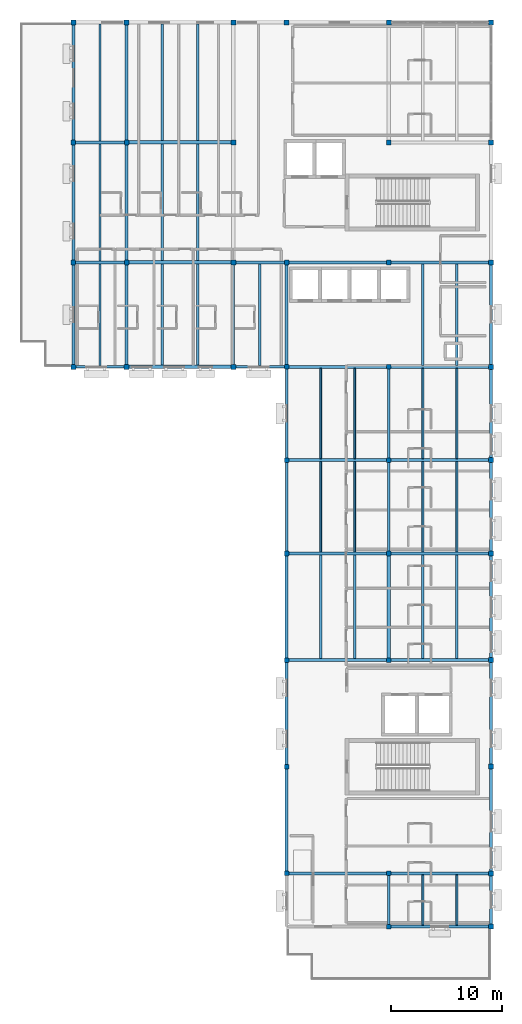
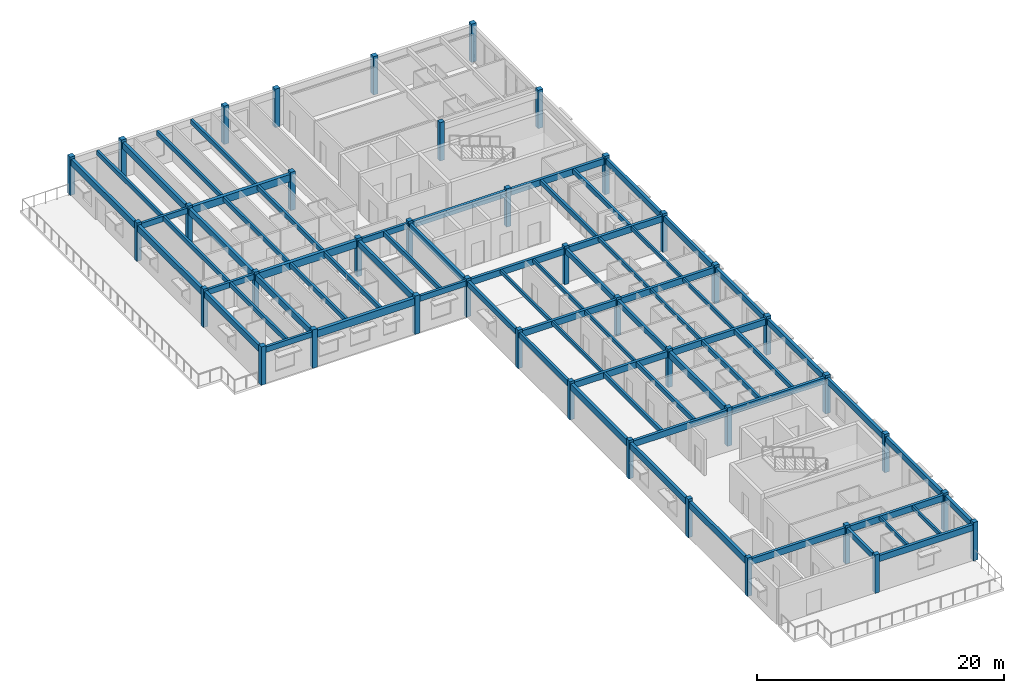
# One storey, part 1 of 15: 71 beams, 39 columns.
"""IFC4 building model written with IfcOpenShell, lengths in metres."""

from ifc_helpers import new_model, si_unit, direction, frame, origin, origin_2d, place, context, subcontext, project, spatial, rectangle, extrude, material, material_profile, profile_set, type_object, element, save


model = new_model("IFC4")

# Units and contexts
model_context = context("Model", 3, precision=1e-05, world=origin(), true_north=direction((0.0, 1.0)))
body_context = subcontext(model_context, "Body", "Model", "MODEL_VIEW")
ifc_project = project(units=[si_unit("LENGTHUNIT", "METRE"), si_unit("AREAUNIT", "SQUARE_METRE"), si_unit("VOLUMEUNIT", "CUBIC_METRE"), si_unit("PLANEANGLEUNIT", "RADIAN"), si_unit("MASSUNIT", "GRAM", prefix="KILO")], contexts=[model_context])

# Site, building, storey
site_placement = place(None, origin())
site = spatial("IfcSite", under=ifc_project, at=site_placement, CompositionType="ELEMENT")
building_placement = place(site_placement, origin())
building = spatial("IfcBuilding", under=site, at=building_placement, Name="Veldera Park Congress Hotel", CompositionType="ELEMENT")
storey_placement = place(building_placement, frame((0.0, 0.0, 39.0)))
storey = spatial("IfcBuildingStorey", under=building, at=storey_placement, Name="L09", CompositionType="ELEMENT", Elevation=39.0)

# Columns
ifc_material = material(Name="Glulam GL28h (NDS 24F-V4)", Category="wood")
ifc_material_profile_1 = material_profile(ifc_material, rectangle(XDim=0.419921875, YDim=0.419921875, at=origin_2d()), Name="GL28h 420x420")
ifc_profile_set_1 = profile_set([ifc_material_profile_1], Name="Glulam GL28h (NDS 24F-V4)")
column_type_1 = type_object("IfcColumnType", Name="COL-GL42", PredefinedType="COLUMN", material=ifc_profile_set_1)
for number, where, z_axis, x_axis, name in (
    (1, (74.800048828125, -23.39990234375, 0.0), (0.0, 0.0, 1.0), (1.0, 0.0, 0.0), "L09 Column COL-GL42 (74.8,-23.4)"),
    (2, (74.800048828125, -18.60009765625, 0.0), (0.0, 0.0, 1.0), (1.0, 0.0, 0.0), "L09 Column COL-GL42 (74.8,-18.6)"),
    (3, (74.800048828125, 0.60009765625, 0.0), (0.0, 0.0, 1.0), (1.0, 0.0, 0.0), "L09 Column COL-GL42 (74.8,0.6)"),
    (4, (74.800048828125, 10.199951171875, 0.0), (0.0, 0.0, 1.0), (1.0, 0.0, 0.0), "L09 Column COL-GL42 (74.8,10.2)"),
    (5, (74.800048828125, 18.60009765625, 0.0), (0.0, 0.0, 1.0), (1.0, 0.0, 0.0), "L09 Column COL-GL42 (74.8,18.6)"),
    (6, (74.800048828125, 27.0, 0.0), (0.0, 0.0, 1.0), (1.0, 0.0, 0.0), "L09 Column COL-GL42 (74.8,27.0)"),
    (7, (74.800048828125, 36.39990234375, 0.0), (0.0, 0.0, 1.0), (1.0, 0.0, 0.0), "L09 Column COL-GL42 (74.8,36.4)"),
    (8, (74.800048828125, 47.199951171875, 0.0), (0.0, 0.0, 1.0), (1.0, 0.0, 0.0), "L09 Column COL-GL42 (74.8,47.2)"),
    (9, (65.60009765625, -18.60009765625, 0.0), (0.0, 0.0, 1.0), (1.0, 0.0, 0.0), "L09 Column COL-GL42 (65.6,-18.6)"),
    (10, (65.60009765625, -9.0, 0.0), (0.0, 0.0, 1.0), (1.0, 0.0, 0.0), "L09 Column COL-GL42 (65.6,-9.0)"),
    (11, (65.60009765625, 0.60009765625, 0.0), (0.0, 0.0, 1.0), (1.0, 0.0, 0.0), "L09 Column COL-GL42 (65.6,0.6)"),
    (12, (65.60009765625, 10.199951171875, 0.0), (0.0, 0.0, 1.0), (1.0, 0.0, 0.0), "L09 Column COL-GL42 (65.6,10.2)"),
    (13, (65.60009765625, 18.60009765625, 0.0), (0.0, 0.0, 1.0), (1.0, 0.0, 0.0), "L09 Column COL-GL42 (65.6,18.6)"),
    (14, (65.60009765625, 27.0, 0.0), (0.0, 0.0, 1.0), (1.0, 0.0, 0.0), "L09 Column COL-GL42 (65.6,27.0)"),
    (15, (65.60009765625, 36.39990234375, 0.0), (0.0, 0.0, 1.0), (1.0, 0.0, 0.0), "L09 Column COL-GL42 (65.6,36.4)"),
    (16, (46.39990234375, 36.39990234375, 0.0), (0.0, 0.0, 1.0), (1.0, 0.0, 0.0), "L09 Column COL-GL42 (46.4,36.4)"),
    (17, (46.39990234375, 47.199951171875, 0.0), (0.0, 0.0, 1.0), (1.0, 0.0, 0.0), "L09 Column COL-GL42 (46.4,47.2)"),
    (18, (51.199951171875, 36.39990234375, 0.0), (0.0, 0.0, 1.0), (1.0, 0.0, 0.0), "L09 Column COL-GL42 (51.2,36.4)"),
    (19, (51.199951171875, 47.199951171875, 0.0), (0.0, 0.0, 1.0), (1.0, 0.0, 0.0), "L09 Column COL-GL42 (51.2,47.2)"),
):
    element("IfcColumn", number, at=place(storey_placement, frame(where, z_axis=z_axis, x_axis=x_axis)), inside=storey, type_object=column_type_1, Name=name, PredefinedType="COLUMN", context=body_context, shape_type="SweptSolid", body=[
        extrude(rectangle(XDim=0.419921875, YDim=0.419921875, at=origin_2d()), origin(), (0.0, 0.0, 1.0), 3.800048828125),
    ])
ifc_material_profile_2 = material_profile(ifc_material, rectangle(XDim=0.449951171875, YDim=0.449951171875, at=origin_2d()), Name="GL28h 450x450")
ifc_profile_set_2 = profile_set([ifc_material_profile_2], Name="Glulam GL28h (NDS 24F-V4)")
column_type_2 = type_object("IfcColumnType", Name="COL-GL42E", PredefinedType="COLUMN", material=ifc_profile_set_2)
for number, where, z_axis, x_axis, name in (
    (20, (60.800048828125, 27.0, 0.0), (0.0, 0.0, 1.0), (1.0, 0.0, 0.0), "L09 Column COL-GL42E (60.8,27.0)"),
    (21, (60.800048828125, 36.39990234375, 0.0), (0.0, 0.0, 1.0), (1.0, 0.0, 0.0), "L09 Column COL-GL42E (60.8,36.4)"),
    (22, (60.800048828125, 47.199951171875, 0.0), (0.0, 0.0, 1.0), (1.0, 0.0, 0.0), "L09 Column COL-GL42E (60.8,47.2)"),
    (23, (60.800048828125, 58.0, 0.0), (0.0, 0.0, 1.0), (1.0, 0.0, 0.0), "L09 Column COL-GL42E (60.8,58.0)"),
    (24, (74.800048828125, 58.0, 0.0), (0.0, 0.0, 1.0), (1.0, 0.0, 0.0), "L09 Column COL-GL42E (74.8,58.0)"),
    (25, (84.0, -23.39990234375, 0.0), (0.0, 0.0, 1.0), (1.0, 0.0, 0.0), "L09 Column COL-GL42E (84.0,-23.4)"),
    (26, (84.0, -18.60009765625, 0.0), (0.0, 0.0, 1.0), (1.0, 0.0, 0.0), "L09 Column COL-GL42E (84.0,-18.6)"),
    (27, (84.0, -9.0, 0.0), (0.0, 0.0, 1.0), (1.0, 0.0, 0.0), "L09 Column COL-GL42E (84.0,-9.0)"),
    (28, (84.0, 0.60009765625, 0.0), (0.0, 0.0, 1.0), (1.0, 0.0, 0.0), "L09 Column COL-GL42E (84.0,0.6)"),
    (29, (84.0, 10.199951171875, 0.0), (0.0, 0.0, 1.0), (1.0, 0.0, 0.0), "L09 Column COL-GL42E (84.0,10.2)"),
    (30, (84.0, 18.60009765625, 0.0), (0.0, 0.0, 1.0), (1.0, 0.0, 0.0), "L09 Column COL-GL42E (84.0,18.6)"),
    (31, (84.0, 27.0, 0.0), (0.0, 0.0, 1.0), (1.0, 0.0, 0.0), "L09 Column COL-GL42E (84.0,27.0)"),
    (32, (84.0, 36.39990234375, 0.0), (0.0, 0.0, 1.0), (1.0, 0.0, 0.0), "L09 Column COL-GL42E (84.0,36.4)"),
    (33, (84.0, 47.199951171875, 0.0), (0.0, 0.0, 1.0), (1.0, 0.0, 0.0), "L09 Column COL-GL42E (84.0,47.2)"),
    (34, (84.0, 58.0, 0.0), (0.0, 0.0, 1.0), (1.0, 0.0, 0.0), "L09 Column COL-GL42E (84.0,58.0)"),
    (35, (65.60009765625, 58.0, 0.0), (0.0, 0.0, 1.0), (1.0, 0.0, 0.0), "L09 Column COL-GL42E (65.6,58.0)"),
    (36, (46.39990234375, 27.0, 0.0), (0.0, 0.0, 1.0), (1.0, 0.0, 0.0), "L09 Column COL-GL42E (46.4,27.0)"),
    (37, (46.39990234375, 58.0, 0.0), (0.0, 0.0, 1.0), (1.0, 0.0, 0.0), "L09 Column COL-GL42E (46.4,58.0)"),
    (38, (51.199951171875, 27.0, 0.0), (0.0, 0.0, 1.0), (1.0, 0.0, 0.0), "L09 Column COL-GL42E (51.2,27.0)"),
    (39, (51.199951171875, 58.0, 0.0), (0.0, 0.0, 1.0), (1.0, 0.0, 0.0), "L09 Column COL-GL42E (51.2,58.0)"),
):
    element("IfcColumn", number, at=place(storey_placement, frame(where, z_axis=z_axis, x_axis=x_axis)), inside=storey, type_object=column_type_2, Name=name, PredefinedType="COLUMN", context=body_context, shape_type="SweptSolid", body=[
        extrude(rectangle(XDim=0.449951171875, YDim=0.449951171875, at=origin_2d()), origin(), (0.0, 0.0, 1.0), 3.800048828125),
    ])

# Beams
ifc_material_profile_3 = material_profile(ifc_material, rectangle(XDim=0.239990234375, YDim=0.5400390625, at=origin_2d()), Name="GL28h 240x540")
ifc_profile_set_3 = profile_set([ifc_material_profile_3], Name="Glulam GL28h (NDS 24F-V4)")
beam_type_1 = type_object("IfcBeamType", Name="BM-GL540", PredefinedType="BEAM", material=ifc_profile_set_3)
beam_1_placement = place(storey_placement, frame((46.625, 27.0, 3.294921875), z_axis=(1.0, 0.0, 0.0), x_axis=(0.0, 1.0, 0.0)))
element("IfcBeam", 40, at=beam_1_placement, inside=storey, type_object=beam_type_1, Name="L09 Girder BM-GL540 1838", PredefinedType="BEAM", context=body_context, shape_type="SweptSolid", body=[
    extrude(rectangle(XDim=0.239990234375, YDim=0.5400390625, at=origin_2d()), origin(), (0.0, 0.0, 1.0), 4.35009765625),
])
beam_2_placement = place(storey_placement, frame((61.02490234375, 27.0, 3.294921875), z_axis=(1.0, 0.0, 0.0), x_axis=(0.0, 1.0, 0.0)))
element("IfcBeam", 41, at=beam_2_placement, inside=storey, type_object=beam_type_1, Name="L09 Girder BM-GL540 1840", PredefinedType="BEAM", context=body_context, shape_type="SweptSolid", body=[
    extrude(rectangle(XDim=0.239990234375, YDim=0.5400390625, at=origin_2d()), origin(), (0.0, 0.0, 1.0), 4.364990234375),
])
beam_3_placement = place(storey_placement, frame((46.610107421875, 36.39990234375, 3.294921875), z_axis=(1.0, 0.0, 0.0), x_axis=(0.0, 1.0, 0.0)))
element("IfcBeam", 42, at=beam_3_placement, inside=storey, type_object=beam_type_1, Name="L09 Girder BM-GL540 1843", PredefinedType="BEAM", context=body_context, shape_type="SweptSolid", body=[
    extrude(rectangle(XDim=0.239990234375, YDim=0.5400390625, at=origin_2d()), origin(), (0.0, 0.0, 1.0), 4.3798828125),
])
beam_4_placement = place(storey_placement, frame((61.02490234375, 36.39990234375, 3.294921875), z_axis=(1.0, 0.0, 0.0), x_axis=(0.0, 1.0, 0.0)))
element("IfcBeam", 43, at=beam_4_placement, inside=storey, type_object=beam_type_1, Name="L09 Girder BM-GL540 1845", PredefinedType="BEAM", context=body_context, shape_type="SweptSolid", body=[
    extrude(rectangle(XDim=0.239990234375, YDim=0.5400390625, at=origin_2d()), origin(), (0.0, 0.0, 1.0), 4.364990234375),
])
beam_5_placement = place(storey_placement, frame((46.610107421875, 47.199951171875, 3.294921875), z_axis=(1.0, 0.0, 0.0), x_axis=(0.0, 1.0, 0.0)))
element("IfcBeam", 44, at=beam_5_placement, inside=storey, type_object=beam_type_1, Name="L09 Girder BM-GL540 1848", PredefinedType="BEAM", context=body_context, shape_type="SweptSolid", body=[
    extrude(rectangle(XDim=0.239990234375, YDim=0.5400390625, at=origin_2d()), origin(), (0.0, 0.0, 1.0), 4.3798828125),
])
for number, where, z_axis, x_axis, name in (
    (45, (65.60009765625, 10.409912109375, 3.294921875), (0.0, 1.0, 0.0), (-1.0, 0.0, 0.0), "L09 Girder BM-GL540 1868"),
    (46, (65.60009765625, 18.81005859375, 3.294921875), (0.0, 1.0, 0.0), (-1.0, 0.0, 0.0), "L09 Girder BM-GL540 1869"),
):
    element("IfcBeam", number, at=place(storey_placement, frame(where, z_axis=z_axis, x_axis=x_axis)), inside=storey, type_object=beam_type_1, Name=name, PredefinedType="BEAM", context=body_context, shape_type="SweptSolid", body=[
        extrude(rectangle(XDim=0.239990234375, YDim=0.5400390625, at=origin_2d()), origin(), (0.0, 0.0, 1.0), 7.97998046875),
    ])
beam_6_placement = place(storey_placement, frame((74.800048828125, -23.18994140625, 3.294921875), z_axis=(0.0, 1.0, 0.0), x_axis=(-1.0, 0.0, 0.0)))
element("IfcBeam", 47, at=beam_6_placement, inside=storey, type_object=beam_type_1, Name="L09 Girder BM-GL540 1871", PredefinedType="BEAM", context=body_context, shape_type="SweptSolid", body=[
    extrude(rectangle(XDim=0.239990234375, YDim=0.5400390625, at=origin_2d()), origin(), (0.0, 0.0, 1.0), 4.3798828125),
])
for number, where, z_axis, x_axis, name in (
    (48, (74.800048828125, 10.409912109375, 3.294921875), (0.0, 1.0, 0.0), (-1.0, 0.0, 0.0), "L09 Girder BM-GL540 1873"),
    (49, (74.800048828125, 18.81005859375, 3.294921875), (0.0, 1.0, 0.0), (-1.0, 0.0, 0.0), "L09 Girder BM-GL540 1874"),
):
    element("IfcBeam", number, at=place(storey_placement, frame(where, z_axis=z_axis, x_axis=x_axis)), inside=storey, type_object=beam_type_1, Name=name, PredefinedType="BEAM", context=body_context, shape_type="SweptSolid", body=[
        extrude(rectangle(XDim=0.239990234375, YDim=0.5400390625, at=origin_2d()), origin(), (0.0, 0.0, 1.0), 7.97998046875),
    ])
ifc_material_profile_4 = material_profile(ifc_material, rectangle(XDim=0.264892578125, YDim=0.580078125, at=origin_2d()), Name="GL28h 265x580")
ifc_profile_set_4 = profile_set([ifc_material_profile_4], Name="Glulam GL28h (NDS 24F-V4)")
beam_type_2 = type_object("IfcBeamType", Name="BM-GL540E", PredefinedType="BEAM", material=ifc_profile_set_4)
beam_7_placement = place(storey_placement, frame((84.0, -23.175048828125, 3.27490234375), z_axis=(0.0, 1.0, 0.0), x_axis=(-1.0, 0.0, 0.0)))
element("IfcBeam", 50, at=beam_7_placement, inside=storey, type_object=beam_type_2, Name="L09 Girder BM-GL540E 1876", PredefinedType="BEAM", context=body_context, shape_type="SweptSolid", body=[
    extrude(rectangle(XDim=0.264892578125, YDim=0.580078125, at=origin_2d()), origin(), (0.0, 0.0, 1.0), 4.35009765625),
])
for number, where, z_axis, x_axis, name in (
    (51, (84.0, -18.375, 3.27490234375), (0.0, 1.0, 0.0), (-1.0, 0.0, 0.0), "L09 Girder BM-GL540E 1877"),
    (52, (84.0, -8.77490234375, 3.27490234375), (0.0, 1.0, 0.0), (-1.0, 0.0, 0.0), "L09 Girder BM-GL540E 1878"),
):
    element("IfcBeam", number, at=place(storey_placement, frame(where, z_axis=z_axis, x_axis=x_axis)), inside=storey, type_object=beam_type_2, Name=name, PredefinedType="BEAM", context=body_context, shape_type="SweptSolid", body=[
        extrude(rectangle(XDim=0.264892578125, YDim=0.580078125, at=origin_2d()), origin(), (0.0, 0.0, 1.0), 9.14990234375),
    ])
beam_8_placement = place(storey_placement, frame((84.0, 0.824951171875, 3.27490234375), z_axis=(0.0, 1.0, 0.0), x_axis=(-1.0, 0.0, 0.0)))
element("IfcBeam", 53, at=beam_8_placement, inside=storey, type_object=beam_type_2, Name="L09 Girder BM-GL540E 1879", PredefinedType="BEAM", context=body_context, shape_type="SweptSolid", body=[
    extrude(rectangle(XDim=0.264892578125, YDim=0.580078125, at=origin_2d()), origin(), (0.0, 0.0, 1.0), 9.150146484375),
])
for number, where, z_axis, x_axis, name in (
    (54, (84.0, 10.425048828125, 3.27490234375), (0.0, 1.0, 0.0), (-1.0, 0.0, 0.0), "L09 Girder BM-GL540E 1880"),
    (55, (84.0, 18.824951171875, 3.27490234375), (0.0, 1.0, 0.0), (-1.0, 0.0, 0.0), "L09 Girder BM-GL540E 1881"),
):
    element("IfcBeam", number, at=place(storey_placement, frame(where, z_axis=z_axis, x_axis=x_axis)), inside=storey, type_object=beam_type_2, Name=name, PredefinedType="BEAM", context=body_context, shape_type="SweptSolid", body=[
        extrude(rectangle(XDim=0.264892578125, YDim=0.580078125, at=origin_2d()), origin(), (0.0, 0.0, 1.0), 7.949951171875),
    ])
beam_9_placement = place(storey_placement, frame((84.0, 27.22509765625, 3.27490234375), z_axis=(0.0, 1.0, 0.0), x_axis=(-1.0, 0.0, 0.0)))
element("IfcBeam", 56, at=beam_9_placement, inside=storey, type_object=beam_type_2, Name="L09 Girder BM-GL540E 1882", PredefinedType="BEAM", context=body_context, shape_type="SweptSolid", body=[
    extrude(rectangle(XDim=0.264892578125, YDim=0.580078125, at=origin_2d()), origin(), (0.0, 0.0, 1.0), 8.949951171875),
])
ifc_material_profile_5 = material_profile(ifc_material, rectangle(XDim=0.264892578125, YDim=0.6201171875, at=origin_2d()), Name="GL28h 265x620")
ifc_profile_set_5 = profile_set([ifc_material_profile_5], Name="Glulam GL28h (NDS 24F-V4)")
beam_type_3 = type_object("IfcBeamType", Name="BM-GL620", PredefinedType="BEAM", material=ifc_profile_set_5)
beam_10_placement = place(storey_placement, frame((75.010009765625, -23.39990234375, 3.2548828125), z_axis=(1.0, 0.0, 0.0), x_axis=(0.0, 1.0, 0.0)))
element("IfcBeam", 57, at=beam_10_placement, inside=storey, type_object=beam_type_3, Name="L09 Girder BM-GL620 1829", PredefinedType="BEAM", context=body_context, shape_type="SweptSolid", body=[
    extrude(rectangle(XDim=0.264892578125, YDim=0.6201171875, at=origin_2d()), origin(), (0.0, 0.0, 1.0), 8.764892578125),
])
beam_11_placement = place(storey_placement, frame((65.81005859375, -18.60009765625, 3.2548828125), z_axis=(1.0, 0.0, 0.0), x_axis=(0.0, 1.0, 0.0)))
element("IfcBeam", 58, at=beam_11_placement, inside=storey, type_object=beam_type_3, Name="L09 Girder BM-GL620 1830", PredefinedType="BEAM", context=body_context, shape_type="SweptSolid", body=[
    extrude(rectangle(XDim=0.264892578125, YDim=0.6201171875, at=origin_2d()), origin(), (0.0, 0.0, 1.0), 8.780029296875),
])
beam_12_placement = place(storey_placement, frame((75.010009765625, -18.60009765625, 3.2548828125), z_axis=(1.0, 0.0, 0.0), x_axis=(0.0, 1.0, 0.0)))
element("IfcBeam", 59, at=beam_12_placement, inside=storey, type_object=beam_type_3, Name="L09 Girder BM-GL620 1831", PredefinedType="BEAM", context=body_context, shape_type="SweptSolid", body=[
    extrude(rectangle(XDim=0.264892578125, YDim=0.6201171875, at=origin_2d()), origin(), (0.0, 0.0, 1.0), 8.764892578125),
])
beam_13_placement = place(storey_placement, frame((65.81005859375, 0.60009765625, 3.2548828125), z_axis=(1.0, 0.0, 0.0), x_axis=(0.0, 1.0, 0.0)))
element("IfcBeam", 60, at=beam_13_placement, inside=storey, type_object=beam_type_3, Name="L09 Girder BM-GL620 1832", PredefinedType="BEAM", context=body_context, shape_type="SweptSolid", body=[
    extrude(rectangle(XDim=0.264892578125, YDim=0.6201171875, at=origin_2d()), origin(), (0.0, 0.0, 1.0), 8.780029296875),
])
beam_14_placement = place(storey_placement, frame((75.010009765625, 0.60009765625, 3.2548828125), z_axis=(1.0, 0.0, 0.0), x_axis=(0.0, 1.0, 0.0)))
element("IfcBeam", 61, at=beam_14_placement, inside=storey, type_object=beam_type_3, Name="L09 Girder BM-GL620 1833", PredefinedType="BEAM", context=body_context, shape_type="SweptSolid", body=[
    extrude(rectangle(XDim=0.264892578125, YDim=0.6201171875, at=origin_2d()), origin(), (0.0, 0.0, 1.0), 8.764892578125),
])
beam_15_placement = place(storey_placement, frame((65.81005859375, 10.199951171875, 3.2548828125), z_axis=(1.0, 0.0, 0.0), x_axis=(0.0, 1.0, 0.0)))
element("IfcBeam", 62, at=beam_15_placement, inside=storey, type_object=beam_type_3, Name="L09 Girder BM-GL620 1834", PredefinedType="BEAM", context=body_context, shape_type="SweptSolid", body=[
    extrude(rectangle(XDim=0.264892578125, YDim=0.6201171875, at=origin_2d()), origin(), (0.0, 0.0, 1.0), 8.780029296875),
])
beam_16_placement = place(storey_placement, frame((75.010009765625, 10.199951171875, 3.2548828125), z_axis=(1.0, 0.0, 0.0), x_axis=(0.0, 1.0, 0.0)))
element("IfcBeam", 63, at=beam_16_placement, inside=storey, type_object=beam_type_3, Name="L09 Girder BM-GL620 1835", PredefinedType="BEAM", context=body_context, shape_type="SweptSolid", body=[
    extrude(rectangle(XDim=0.264892578125, YDim=0.6201171875, at=origin_2d()), origin(), (0.0, 0.0, 1.0), 8.764892578125),
])
beam_17_placement = place(storey_placement, frame((65.81005859375, 18.60009765625, 3.2548828125), z_axis=(1.0, 0.0, 0.0), x_axis=(0.0, 1.0, 0.0)))
element("IfcBeam", 64, at=beam_17_placement, inside=storey, type_object=beam_type_3, Name="L09 Girder BM-GL620 1836", PredefinedType="BEAM", context=body_context, shape_type="SweptSolid", body=[
    extrude(rectangle(XDim=0.264892578125, YDim=0.6201171875, at=origin_2d()), origin(), (0.0, 0.0, 1.0), 8.780029296875),
])
beam_18_placement = place(storey_placement, frame((75.010009765625, 18.60009765625, 3.2548828125), z_axis=(1.0, 0.0, 0.0), x_axis=(0.0, 1.0, 0.0)))
element("IfcBeam", 65, at=beam_18_placement, inside=storey, type_object=beam_type_3, Name="L09 Girder BM-GL620 1837", PredefinedType="BEAM", context=body_context, shape_type="SweptSolid", body=[
    extrude(rectangle(XDim=0.264892578125, YDim=0.6201171875, at=origin_2d()), origin(), (0.0, 0.0, 1.0), 8.764892578125),
])
beam_19_placement = place(storey_placement, frame((65.81005859375, 27.0, 3.2548828125), z_axis=(1.0, 0.0, 0.0), x_axis=(0.0, 1.0, 0.0)))
element("IfcBeam", 66, at=beam_19_placement, inside=storey, type_object=beam_type_3, Name="L09 Girder BM-GL620 1841", PredefinedType="BEAM", context=body_context, shape_type="SweptSolid", body=[
    extrude(rectangle(XDim=0.264892578125, YDim=0.6201171875, at=origin_2d()), origin(), (0.0, 0.0, 1.0), 8.780029296875),
])
beam_20_placement = place(storey_placement, frame((75.010009765625, 27.0, 3.2548828125), z_axis=(1.0, 0.0, 0.0), x_axis=(0.0, 1.0, 0.0)))
element("IfcBeam", 67, at=beam_20_placement, inside=storey, type_object=beam_type_3, Name="L09 Girder BM-GL620 1842", PredefinedType="BEAM", context=body_context, shape_type="SweptSolid", body=[
    extrude(rectangle(XDim=0.264892578125, YDim=0.6201171875, at=origin_2d()), origin(), (0.0, 0.0, 1.0), 8.764892578125),
])
beam_21_placement = place(storey_placement, frame((65.81005859375, 36.39990234375, 3.2548828125), z_axis=(1.0, 0.0, 0.0), x_axis=(0.0, 1.0, 0.0)))
element("IfcBeam", 68, at=beam_21_placement, inside=storey, type_object=beam_type_3, Name="L09 Girder BM-GL620 1846", PredefinedType="BEAM", context=body_context, shape_type="SweptSolid", body=[
    extrude(rectangle(XDim=0.264892578125, YDim=0.6201171875, at=origin_2d()), origin(), (0.0, 0.0, 1.0), 8.780029296875),
])
beam_22_placement = place(storey_placement, frame((75.010009765625, 36.39990234375, 3.2548828125), z_axis=(1.0, 0.0, 0.0), x_axis=(0.0, 1.0, 0.0)))
element("IfcBeam", 69, at=beam_22_placement, inside=storey, type_object=beam_type_3, Name="L09 Girder BM-GL620 1847", PredefinedType="BEAM", context=body_context, shape_type="SweptSolid", body=[
    extrude(rectangle(XDim=0.264892578125, YDim=0.6201171875, at=origin_2d()), origin(), (0.0, 0.0, 1.0), 8.764892578125),
])
for number, where, z_axis, x_axis, name in (
    (70, (46.39990234375, 27.22509765625, 3.2548828125), (0.0, 1.0, 0.0), (-1.0, 0.0, 0.0), "L09 Girder BM-GL620 1856"),
    (71, (51.199951171875, 27.22509765625, 3.2548828125), (0.0, 1.0, 0.0), (-1.0, 0.0, 0.0), "L09 Girder BM-GL620 1859"),
):
    element("IfcBeam", number, at=place(storey_placement, frame(where, z_axis=z_axis, x_axis=x_axis)), inside=storey, type_object=beam_type_3, Name=name, PredefinedType="BEAM", context=body_context, shape_type="SweptSolid", body=[
        extrude(rectangle(XDim=0.264892578125, YDim=0.6201171875, at=origin_2d()), origin(), (0.0, 0.0, 1.0), 8.96484375),
    ])
beam_23_placement = place(storey_placement, frame((60.800048828125, 27.22509765625, 3.2548828125), z_axis=(0.0, 1.0, 0.0), x_axis=(-1.0, 0.0, 0.0)))
element("IfcBeam", 72, at=beam_23_placement, inside=storey, type_object=beam_type_3, Name="L09 Girder BM-GL620 1862", PredefinedType="BEAM", context=body_context, shape_type="SweptSolid", body=[
    extrude(rectangle(XDim=0.264892578125, YDim=0.6201171875, at=origin_2d()), origin(), (0.0, 0.0, 1.0), 8.949951171875),
])
beam_24_placement = place(storey_placement, frame((65.60009765625, 27.2099609375, 3.2548828125), z_axis=(0.0, 1.0, 0.0), x_axis=(-1.0, 0.0, 0.0)))
element("IfcBeam", 73, at=beam_24_placement, inside=storey, type_object=beam_type_3, Name="L09 Girder BM-GL620 1870", PredefinedType="BEAM", context=body_context, shape_type="SweptSolid", body=[
    extrude(rectangle(XDim=0.264892578125, YDim=0.6201171875, at=origin_2d()), origin(), (0.0, 0.0, 1.0), 8.97998046875),
])
ifc_material_profile_6 = material_profile(ifc_material, rectangle(XDim=0.280029296875, YDim=0.639892578125, at=origin_2d()), Name="GL28h 280x640")
ifc_profile_set_6 = profile_set([ifc_material_profile_6], Name="Glulam GL28h (NDS 24F-V4)")
beam_type_4 = type_object("IfcBeamType", Name="BM-GL640", PredefinedType="BEAM", material=ifc_profile_set_6)
beam_25_placement = place(storey_placement, frame((46.39990234375, 36.610107421875, 3.2451171875), z_axis=(0.0, 1.0, 0.0), x_axis=(-1.0, 0.0, 0.0)))
element("IfcBeam", 74, at=beam_25_placement, inside=storey, type_object=beam_type_4, Name="L09 Girder BM-GL640 1857", PredefinedType="BEAM", context=body_context, shape_type="SweptSolid", body=[
    extrude(rectangle(XDim=0.280029296875, YDim=0.639892578125, at=origin_2d()), origin(), (0.0, 0.0, 1.0), 10.3798828125),
])
beam_26_placement = place(storey_placement, frame((46.39990234375, 47.409912109375, 3.2451171875), z_axis=(0.0, 1.0, 0.0), x_axis=(-1.0, 0.0, 0.0)))
element("IfcBeam", 75, at=beam_26_placement, inside=storey, type_object=beam_type_4, Name="L09 Girder BM-GL640 1858", PredefinedType="BEAM", context=body_context, shape_type="SweptSolid", body=[
    extrude(rectangle(XDim=0.280029296875, YDim=0.639892578125, at=origin_2d()), origin(), (0.0, 0.0, 1.0), 10.364990234375),
])
beam_27_placement = place(storey_placement, frame((51.199951171875, 36.610107421875, 3.2451171875), z_axis=(0.0, 1.0, 0.0), x_axis=(-1.0, 0.0, 0.0)))
element("IfcBeam", 76, at=beam_27_placement, inside=storey, type_object=beam_type_4, Name="L09 Girder BM-GL640 1860", PredefinedType="BEAM", context=body_context, shape_type="SweptSolid", body=[
    extrude(rectangle(XDim=0.280029296875, YDim=0.639892578125, at=origin_2d()), origin(), (0.0, 0.0, 1.0), 10.3798828125),
])
beam_28_placement = place(storey_placement, frame((51.199951171875, 47.409912109375, 3.2451171875), z_axis=(0.0, 1.0, 0.0), x_axis=(-1.0, 0.0, 0.0)))
element("IfcBeam", 77, at=beam_28_placement, inside=storey, type_object=beam_type_4, Name="L09 Girder BM-GL640 1861", PredefinedType="BEAM", context=body_context, shape_type="SweptSolid", body=[
    extrude(rectangle(XDim=0.280029296875, YDim=0.639892578125, at=origin_2d()), origin(), (0.0, 0.0, 1.0), 10.364990234375),
])
for number, where, z_axis, x_axis, name in (
    (78, (65.60009765625, -18.389892578125, 3.2451171875), (0.0, 1.0, 0.0), (-1.0, 0.0, 0.0), "L09 Girder BM-GL640 1865"),
    (79, (65.60009765625, -8.7900390625, 3.2451171875), (0.0, 1.0, 0.0), (-1.0, 0.0, 0.0), "L09 Girder BM-GL640 1866"),
    (80, (65.60009765625, 0.81005859375, 3.2451171875), (0.0, 1.0, 0.0), (-1.0, 0.0, 0.0), "L09 Girder BM-GL640 1867"),
    (81, (74.800048828125, 0.81005859375, 3.2451171875), (0.0, 1.0, 0.0), (-1.0, 0.0, 0.0), "L09 Girder BM-GL640 1872"),
):
    element("IfcBeam", number, at=place(storey_placement, frame(where, z_axis=z_axis, x_axis=x_axis)), inside=storey, type_object=beam_type_4, Name=name, PredefinedType="BEAM", context=body_context, shape_type="SweptSolid", body=[
        extrude(rectangle(XDim=0.280029296875, YDim=0.639892578125, at=origin_2d()), origin(), (0.0, 0.0, 1.0), 9.179931640625),
    ])
ifc_material_profile_7 = material_profile(ifc_material, rectangle(XDim=0.31494140625, YDim=0.719970703125, at=origin_2d()), Name="GL28h 315x720")
ifc_profile_set_7 = profile_set([ifc_material_profile_7], Name="Glulam GL28h (NDS 24F-V4)")
beam_type_5 = type_object("IfcBeamType", Name="BM-GL720", PredefinedType="BEAM", material=ifc_profile_set_7)
beam_29_placement = place(storey_placement, frame((51.425048828125, 27.0, 3.205078125), z_axis=(1.0, 0.0, 0.0), x_axis=(0.0, 1.0, 0.0)))
element("IfcBeam", 82, at=beam_29_placement, inside=storey, type_object=beam_type_5, Name="L09 Girder BM-GL720 1839", PredefinedType="BEAM", context=body_context, shape_type="SweptSolid", body=[
    extrude(rectangle(XDim=0.31494140625, YDim=0.719970703125, at=origin_2d()), origin(), (0.0, 0.0, 1.0), 9.14990234375),
])
for number, where, z_axis, x_axis, name in (
    (83, (51.409912109375, 36.39990234375, 3.205078125), (1.0, 0.0, 0.0), (0.0, 1.0, 0.0), "L09 Girder BM-GL720 1844"),
    (84, (51.409912109375, 47.199951171875, 3.205078125), (1.0, 0.0, 0.0), (0.0, 1.0, 0.0), "L09 Girder BM-GL720 1849"),
):
    element("IfcBeam", number, at=place(storey_placement, frame(where, z_axis=z_axis, x_axis=x_axis)), inside=storey, type_object=beam_type_5, Name=name, PredefinedType="BEAM", context=body_context, shape_type="SweptSolid", body=[
        extrude(rectangle(XDim=0.31494140625, YDim=0.719970703125, at=origin_2d()), origin(), (0.0, 0.0, 1.0), 9.1650390625),
    ])
ifc_material_profile_8 = material_profile(ifc_material, rectangle(XDim=0.179931640625, YDim=0.360107421875, at=origin_2d()), Name="GL28h 180x360")
ifc_profile_set_8 = profile_set([ifc_material_profile_8], Name="Glulam GL28h (NDS 24F-V4)")
beam_type_6 = type_object("IfcBeamType", Name="JST-GL360", PredefinedType="JOIST", material=ifc_profile_set_8)
for number, where, z_axis, x_axis, name in (
    (85, (77.86669921875, -23.267578125, 3.385009765625), (0.0, 1.0, 0.0), (-1.0, 0.0, 0.0), "L09 Floor Joist JST-GL360 1885"),
    (86, (80.933349609375, -23.267578125, 3.385009765625), (0.0, 1.0, 0.0), (-1.0, 0.0, 0.0), "L09 Floor Joist JST-GL360 1886"),
):
    element("IfcBeam", number, at=place(storey_placement, frame(where, z_axis=z_axis, x_axis=x_axis)), inside=storey, type_object=beam_type_6, Name=name, PredefinedType="JOIST", context=body_context, shape_type="SweptSolid", body=[
        extrude(rectangle(XDim=0.179931640625, YDim=0.360107421875, at=origin_2d()), origin(), (0.0, 0.0, 1.0), 4.53515625),
    ])
for number, where, z_axis, x_axis, name in (
    (87, (68.666748046875, 10.33251953125, 3.385009765625), (0.0, 1.0, 0.0), (-1.0, 0.0, 0.0), "L09 Floor Joist JST-GL360 1891"),
    (88, (71.7333984375, 10.33251953125, 3.385009765625), (0.0, 1.0, 0.0), (-1.0, 0.0, 0.0), "L09 Floor Joist JST-GL360 1892"),
    (89, (77.86669921875, 10.33251953125, 3.385009765625), (0.0, 1.0, 0.0), (-1.0, 0.0, 0.0), "L09 Floor Joist JST-GL360 1893"),
    (90, (80.933349609375, 10.33251953125, 3.385009765625), (0.0, 1.0, 0.0), (-1.0, 0.0, 0.0), "L09 Floor Joist JST-GL360 1894"),
    (91, (68.666748046875, 18.732421875, 3.385009765625), (0.0, 1.0, 0.0), (-1.0, 0.0, 0.0), "L09 Floor Joist JST-GL360 1895"),
    (92, (71.7333984375, 18.732421875, 3.385009765625), (0.0, 1.0, 0.0), (-1.0, 0.0, 0.0), "L09 Floor Joist JST-GL360 1896"),
    (93, (77.86669921875, 18.732421875, 3.385009765625), (0.0, 1.0, 0.0), (-1.0, 0.0, 0.0), "L09 Floor Joist JST-GL360 1897"),
    (94, (80.933349609375, 18.732421875, 3.385009765625), (0.0, 1.0, 0.0), (-1.0, 0.0, 0.0), "L09 Floor Joist JST-GL360 1898"),
):
    element("IfcBeam", number, at=place(storey_placement, frame(where, z_axis=z_axis, x_axis=x_axis)), inside=storey, type_object=beam_type_6, Name=name, PredefinedType="JOIST", context=body_context, shape_type="SweptSolid", body=[
        extrude(rectangle(XDim=0.179931640625, YDim=0.360107421875, at=origin_2d()), origin(), (0.0, 0.0, 1.0), 8.135009765625),
    ])
ifc_material_profile_9 = material_profile(ifc_material, rectangle(XDim=0.215087890625, YDim=0.449951171875, at=origin_2d()), Name="GL28h 215x450")
ifc_profile_set_9 = profile_set([ifc_material_profile_9], Name="Glulam GL28h (NDS 24F-V4)")
beam_type_7 = type_object("IfcBeamType", Name="JST-GL450", PredefinedType="JOIST", material=ifc_profile_set_9)
for number, where, z_axis, x_axis, name in (
    (95, (68.666748046875, 0.732421875, 3.340087890625), (0.0, 1.0, 0.0), (-1.0, 0.0, 0.0), "L09 Floor Joist JST-GL450 1887"),
    (96, (71.7333984375, 0.732421875, 3.340087890625), (0.0, 1.0, 0.0), (-1.0, 0.0, 0.0), "L09 Floor Joist JST-GL450 1888"),
    (97, (77.86669921875, 0.732421875, 3.340087890625), (0.0, 1.0, 0.0), (-1.0, 0.0, 0.0), "L09 Floor Joist JST-GL450 1889"),
    (98, (80.933349609375, 0.732421875, 3.340087890625), (0.0, 1.0, 0.0), (-1.0, 0.0, 0.0), "L09 Floor Joist JST-GL450 1890"),
):
    element("IfcBeam", number, at=place(storey_placement, frame(where, z_axis=z_axis, x_axis=x_axis)), inside=storey, type_object=beam_type_7, Name=name, PredefinedType="JOIST", context=body_context, shape_type="SweptSolid", body=[
        extrude(rectangle(XDim=0.215087890625, YDim=0.449951171875, at=origin_2d()), origin(), (0.0, 0.0, 1.0), 9.3349609375),
    ])
beam_30_placement = place(storey_placement, frame((48.800048828125, 27.1201171875, 3.340087890625), z_axis=(0.0, 1.0, 0.0), x_axis=(-1.0, 0.0, 0.0)))
element("IfcBeam", 99, at=beam_30_placement, inside=storey, type_object=beam_type_7, Name="L09 Floor Joist JST-GL450 1899", PredefinedType="JOIST", context=body_context, shape_type="SweptSolid", body=[
    extrude(rectangle(XDim=0.215087890625, YDim=0.449951171875, at=origin_2d()), origin(), (0.0, 0.0, 1.0), 9.159912109375),
])
for number, where, z_axis, x_axis, name in (
    (100, (54.39990234375, 27.157470703125, 3.340087890625), (0.0, 1.0, 0.0), (-1.0, 0.0, 0.0), "L09 Floor Joist JST-GL450 1900"),
    (101, (57.60009765625, 27.157470703125, 3.340087890625), (0.0, 1.0, 0.0), (-1.0, 0.0, 0.0), "L09 Floor Joist JST-GL450 1901"),
):
    element("IfcBeam", number, at=place(storey_placement, frame(where, z_axis=z_axis, x_axis=x_axis)), inside=storey, type_object=beam_type_7, Name=name, PredefinedType="JOIST", context=body_context, shape_type="SweptSolid", body=[
        extrude(rectangle(XDim=0.215087890625, YDim=0.449951171875, at=origin_2d()), origin(), (0.0, 0.0, 1.0), 9.0849609375),
    ])
beam_31_placement = place(storey_placement, frame((63.199951171875, 27.1201171875, 3.340087890625), z_axis=(0.0, 1.0, 0.0), x_axis=(-1.0, 0.0, 0.0)))
element("IfcBeam", 102, at=beam_31_placement, inside=storey, type_object=beam_type_7, Name="L09 Floor Joist JST-GL450 1902", PredefinedType="JOIST", context=body_context, shape_type="SweptSolid", body=[
    extrude(rectangle(XDim=0.215087890625, YDim=0.449951171875, at=origin_2d()), origin(), (0.0, 0.0, 1.0), 9.159912109375),
])
for number, where, z_axis, x_axis, name in (
    (103, (77.86669921875, 27.132568359375, 3.340087890625), (0.0, 1.0, 0.0), (-1.0, 0.0, 0.0), "L09 Floor Joist JST-GL450 1903"),
    (104, (80.933349609375, 27.132568359375, 3.340087890625), (0.0, 1.0, 0.0), (-1.0, 0.0, 0.0), "L09 Floor Joist JST-GL450 1904"),
):
    element("IfcBeam", number, at=place(storey_placement, frame(where, z_axis=z_axis, x_axis=x_axis)), inside=storey, type_object=beam_type_7, Name=name, PredefinedType="JOIST", context=body_context, shape_type="SweptSolid", body=[
        extrude(rectangle(XDim=0.215087890625, YDim=0.449951171875, at=origin_2d()), origin(), (0.0, 0.0, 1.0), 9.135009765625),
    ])
beam_32_placement = place(storey_placement, frame((48.800048828125, 36.52001953125, 3.340087890625), z_axis=(0.0, 1.0, 0.0), x_axis=(-1.0, 0.0, 0.0)))
element("IfcBeam", 105, at=beam_32_placement, inside=storey, type_object=beam_type_7, Name="L09 Floor Joist JST-GL450 1905", PredefinedType="JOIST", context=body_context, shape_type="SweptSolid", body=[
    extrude(rectangle(XDim=0.215087890625, YDim=0.449951171875, at=origin_2d()), origin(), (0.0, 0.0, 1.0), 10.56005859375),
])
for number, where, z_axis, x_axis, name in (
    (106, (54.39990234375, 36.5576171875, 3.340087890625), (0.0, 1.0, 0.0), (-1.0, 0.0, 0.0), "L09 Floor Joist JST-GL450 1906"),
    (107, (57.60009765625, 36.5576171875, 3.340087890625), (0.0, 1.0, 0.0), (-1.0, 0.0, 0.0), "L09 Floor Joist JST-GL450 1907"),
):
    element("IfcBeam", number, at=place(storey_placement, frame(where, z_axis=z_axis, x_axis=x_axis)), inside=storey, type_object=beam_type_7, Name=name, PredefinedType="JOIST", context=body_context, shape_type="SweptSolid", body=[
        extrude(rectangle(XDim=0.215087890625, YDim=0.449951171875, at=origin_2d()), origin(), (0.0, 0.0, 1.0), 10.48486328125),
    ])
beam_33_placement = place(storey_placement, frame((48.800048828125, 47.320068359375, 3.340087890625), z_axis=(0.0, 1.0, 0.0), x_axis=(-1.0, 0.0, 0.0)))
element("IfcBeam", 108, at=beam_33_placement, inside=storey, type_object=beam_type_7, Name="L09 Floor Joist JST-GL450 1908", PredefinedType="JOIST", context=body_context, shape_type="SweptSolid", body=[
    extrude(rectangle(XDim=0.215087890625, YDim=0.449951171875, at=origin_2d()), origin(), (0.0, 0.0, 1.0), 10.5224609375),
])
for number, where, z_axis, x_axis, name in (
    (109, (54.39990234375, 47.357421875, 3.340087890625), (0.0, 1.0, 0.0), (-1.0, 0.0, 0.0), "L09 Floor Joist JST-GL450 1909"),
    (110, (57.60009765625, 47.357421875, 3.340087890625), (0.0, 1.0, 0.0), (-1.0, 0.0, 0.0), "L09 Floor Joist JST-GL450 1910"),
):
    element("IfcBeam", number, at=place(storey_placement, frame(where, z_axis=z_axis, x_axis=x_axis)), inside=storey, type_object=beam_type_7, Name=name, PredefinedType="JOIST", context=body_context, shape_type="SweptSolid", body=[
        extrude(rectangle(XDim=0.215087890625, YDim=0.449951171875, at=origin_2d()), origin(), (0.0, 0.0, 1.0), 10.485107421875),
    ])

save(model, "model.ifc")
